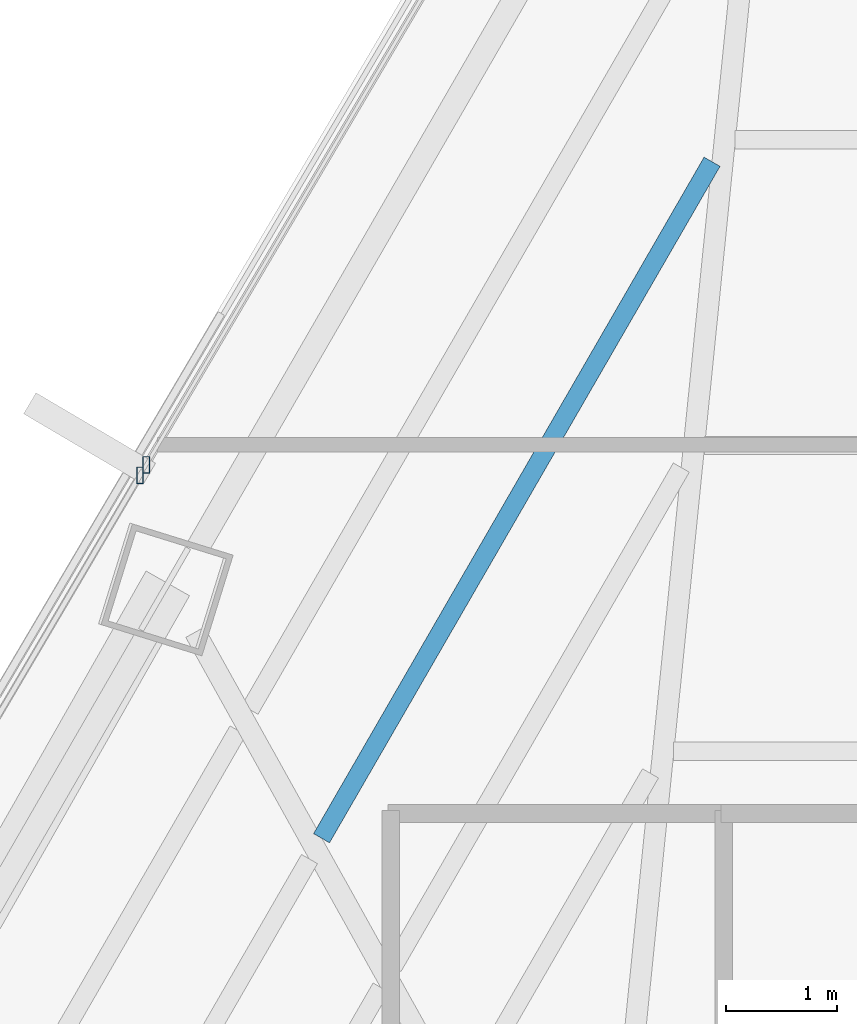
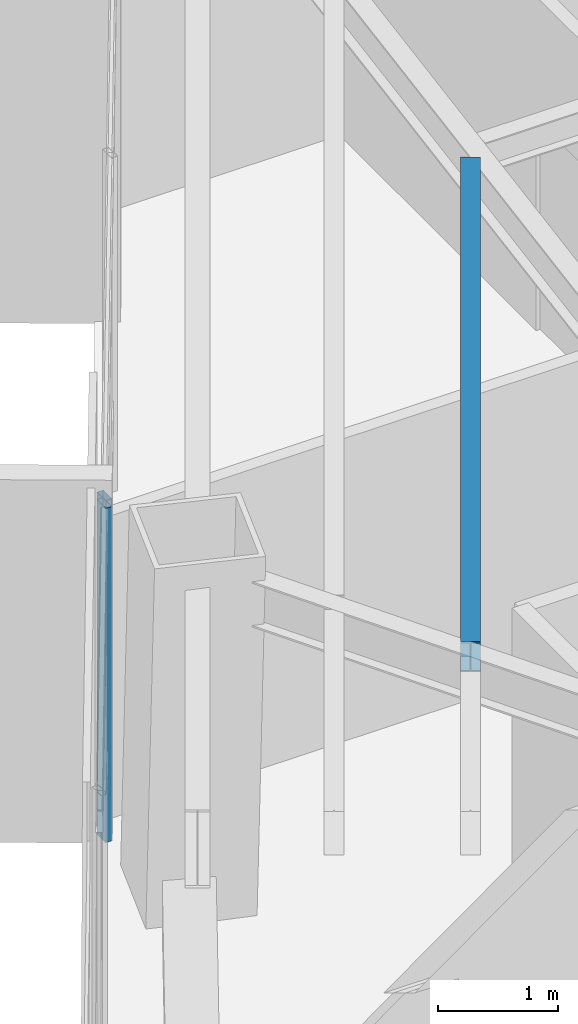
# One storey, part 26 of 41: 2 members, 1 beam, 2 elements without a shape of their own.
"""IFC4 building model written with IfcOpenShell, lengths in metres."""

from ifc_helpers import new_model, si_unit, direction, frame, origin, origin_2d, place, context, subcontext, project, spatial, hollow_rectangle, i_section, extrude, source, transform, mapped, material, material_profile, profile_set, type_object, type_shapes, element, aggregate, save


model = new_model("IFC4")

# Units and contexts
model_context = context("Model", 3, precision=1e-05, world=origin(), true_north=direction((0.0, 1.0)))
body_context = subcontext(model_context, "Body", "Model", "MODEL_VIEW")
ifc_project = project(units=[si_unit("LENGTHUNIT", "METRE"), si_unit("AREAUNIT", "SQUARE_METRE"), si_unit("VOLUMEUNIT", "CUBIC_METRE"), si_unit("PLANEANGLEUNIT", "RADIAN"), si_unit("MASSUNIT", "GRAM", prefix="KILO")], contexts=[model_context])

# Site, building, storey
site_placement = place(None, origin())
site = spatial("IfcSite", under=ifc_project, at=site_placement, CompositionType="ELEMENT")
building_placement = place(site_placement, origin())
building = spatial("IfcBuilding", under=site, at=building_placement, Name="Caelisora Broadcast Tower", CompositionType="ELEMENT")
storey_placement = place(building_placement, frame((0.0, 0.0, 169.449951171875)))
storey = spatial("IfcBuildingStorey", under=building, at=storey_placement, Name="L44", CompositionType="ELEMENT", Elevation=169.449951171875)

# Beam
ifc_material_1 = material(Name="Steel Grade 350 (AS/NZS 3679.1)", Category="steel")
ifc_material_profile_1 = material_profile(ifc_material_1, i_section(OverallWidth=0.166015625, OverallDepth=0.30712890625, WebThickness=0.006591796875, FlangeThickness=0.01171875, at=origin_2d()), Name="Steel Grade 350 (AS/NZS 3679.1)")
ifc_profile_set_1 = profile_set([ifc_material_profile_1], Name="Steel Grade 350 (AS/NZS 3679.1)")
beam_type = type_object("IfcBeamType", Name="SB03", PredefinedType="JOIST", material=ifc_profile_set_1)
shared_shape_1 = source(origin(), body_context, "Body", "SweptSolid", [
    extrude(i_section(OverallWidth=0.166015625, OverallDepth=0.30712890625, WebThickness=0.006591796875, FlangeThickness=0.01171875, at=origin_2d()), origin(), (0.0, 0.0, 1.0), 7.036376953125),
])
type_shapes(beam_type, [shared_shape_1])
beam_placement = place(storey_placement, frame((31.49462890625, 40.820068359375, 3.246337890625), z_axis=(-0.499982754166, -0.866035360443, 0.0), x_axis=(0.866035360443, -0.499982754166, 0.0)))
element("IfcBeam", 1, at=beam_placement, inside=storey, type_object=beam_type, Name="L44 beam SB03", PredefinedType="JOIST", context=body_context, shape_type="MappedRepresentation", body=[
    mapped(shared_shape_1, transform((0.0, 0.0, 0.0), scale=1.0)),
])

# Curtain wall, member
ifc_material_2 = material(Name="Unitised Aluminium Insulated Shadow-Box Spandrel Curtain Wall", Category="aluminium")
curtain_wall_type_1 = type_object("IfcCurtainWallType", Name="CW-SP2", PredefinedType="NOTDEFINED", material=ifc_material_2)
curtain_wall_1_placement = place(storey_placement, origin())
curtain_wall_1 = element("IfcCurtainWall", 2, at=curtain_wall_1_placement, inside=storey, type_object=curtain_wall_type_1, Name="L44 curtain wall CW-SP2", PredefinedType="NOTDEFINED")
ifc_material_3 = material(Name="Aluminium 6063-T6 Anodised Terracotta Bronze", Category="aluminium")
ifc_material_profile_2 = material_profile(ifc_material_3, hollow_rectangle(XDim=0.06005859375, YDim=0.14990234375, WallThickness=0.00341796875, at=origin_2d()), Name="Aluminium 6063-T6 Anodised Terracotta Bronze")
ifc_profile_set_2 = profile_set([ifc_material_profile_2], Name="Aluminium 6063-T6 Anodised Terracotta Bronze")
member_type = type_object("IfcMemberType", Name="CWM-03", PredefinedType="MULLION", material=ifc_profile_set_2)
shared_shape_2 = source(origin(), body_context, "Body", "SweptSolid", [
    extrude(hollow_rectangle(XDim=0.06005859375, YDim=0.14990234375, WallThickness=0.00341796875, at=origin_2d()), origin(), (0.0, 0.0, 1.0), 3.400146484375),
])
type_shapes(member_type, [shared_shape_2])
member_1_placement = place(storey_placement, frame((26.341552734375, 37.9951171875, 0.0), z_axis=(0.0, 0.0, 1.0), x_axis=(1.0, 0.0, 0.0)))
member_1 = element("IfcMember", 3, at=member_1_placement, type_object=member_type, Name="L44-CW-B10 mullion #3", PredefinedType="MULLION", context=body_context, shape_type="MappedRepresentation", body=[
    mapped(shared_shape_2, transform((0.0, 0.0, 0.0), scale=1.0)),
])
aggregate(curtain_wall_1, [member_1])

ifc_material_4 = material(Name="Unitised Aluminium and Low-E Glass Curtain Wall", Category="glass")
curtain_wall_type_2 = type_object("IfcCurtainWallType", Name="CW-Z3", PredefinedType="NOTDEFINED", material=ifc_material_4)
curtain_wall_2_placement = place(storey_placement, origin())
curtain_wall_2 = element("IfcCurtainWall", 4, at=curtain_wall_2_placement, inside=storey, type_object=curtain_wall_type_2, Name="L44 curtain wall CW-Z3", PredefinedType="NOTDEFINED")
member_2_placement = place(storey_placement, frame((26.3974609375, 38.08984375, 0.0), z_axis=(0.0, 0.0, 1.0), x_axis=(1.0, 0.0, 0.0)))
member_2 = element("IfcMember", 5, at=member_2_placement, type_object=member_type, Name="L44-CW-B11 mullion #0", PredefinedType="MULLION", context=body_context, shape_type="MappedRepresentation", body=[
    mapped(shared_shape_2, transform((0.0, 0.0, 0.0), scale=1.0)),
])
aggregate(curtain_wall_2, [member_2])

save(model, "model.ifc")
